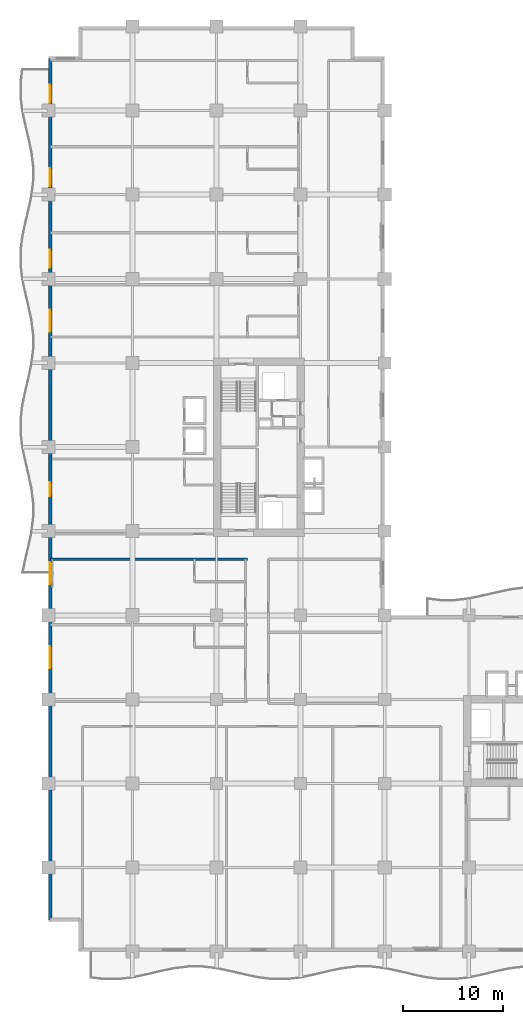
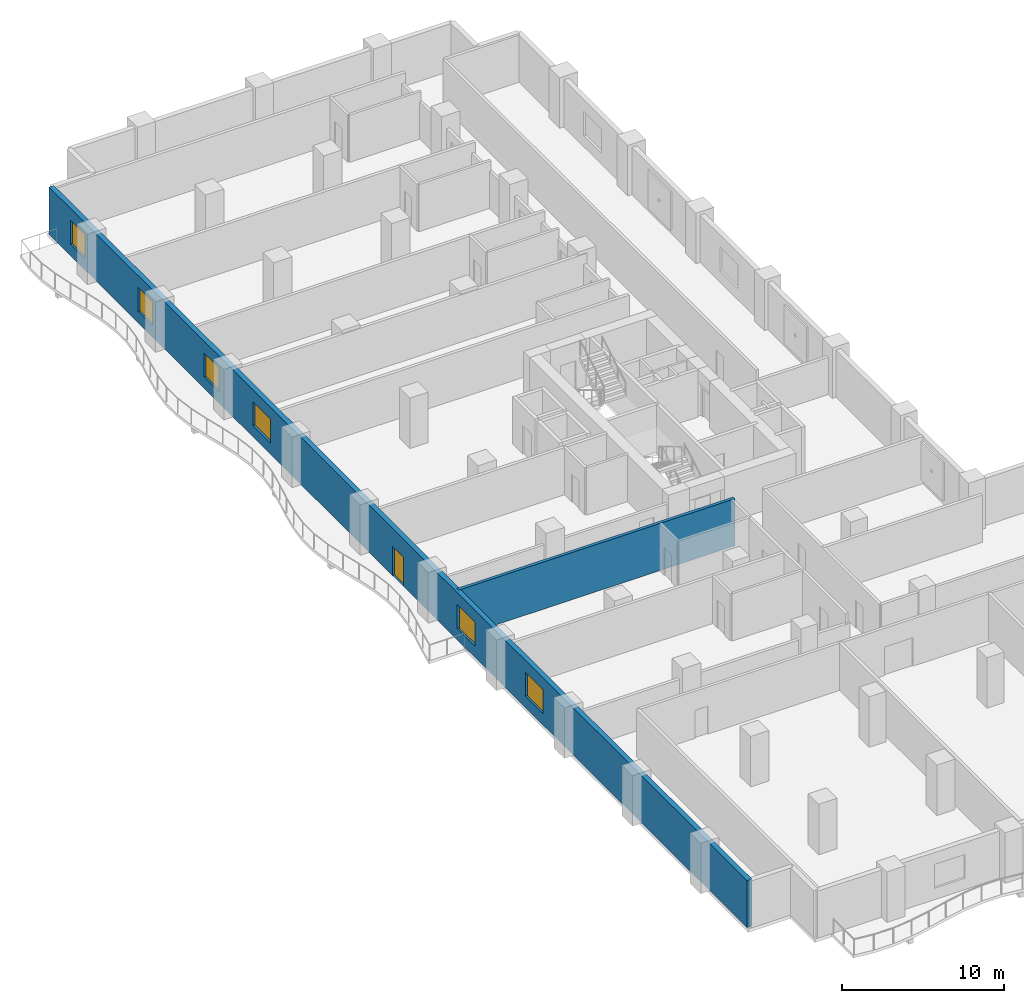
# One storey, part 6 of 18: 6 windows, 2 walls, 1 door, 7 openings.
"""IFC4 building model written with IfcOpenShell, lengths in metres."""

from ifc_helpers import new_model, si_unit, direction, frame, frame_2d, origin, place, context, subcontext, project, spatial, rectangle, extrude, material, layer, layer_set, type_object, element, fill, save


model = new_model("IFC4")

# Units and contexts
model_context = context("Model", 3, precision=1e-05, world=origin(), true_north=direction((0.0, 1.0)))
body_context = subcontext(model_context, "Body", "Model", "MODEL_VIEW")
ifc_project = project(units=[si_unit("LENGTHUNIT", "METRE"), si_unit("AREAUNIT", "SQUARE_METRE"), si_unit("VOLUMEUNIT", "CUBIC_METRE"), si_unit("PLANEANGLEUNIT", "RADIAN"), si_unit("MASSUNIT", "GRAM", prefix="KILO")], contexts=[model_context])

# Site, building, storey
site_placement = place(None, origin())
site = spatial("IfcSite", under=ifc_project, at=site_placement, CompositionType="ELEMENT")
building_placement = place(site_placement, origin())
building = spatial("IfcBuilding", under=site, at=building_placement, Name="Koriwani Terraces Tower", CompositionType="ELEMENT")
storey_placement = place(building_placement, frame((0.0, 0.0, 145.60009765625)))
storey = spatial("IfcBuildingStorey", under=building, at=storey_placement, Name="L35", CompositionType="ELEMENT", Elevation=145.60009765625)

# Wall
ifc_material_1 = material(Name="Autoclaved Cellular Concrete Blockwork", Category="masonry")
ifc_layer_1 = layer(ifc_material_1, 0.219970703125, Name="Autoclaved Cellular Concrete Blockwork")
ifc_layer_set_1 = layer_set([ifc_layer_1], Name="Autoclaved Cellular Concrete Blockwork")
wall_type_1 = type_object("IfcWallType", Name="WALL_DEMISING_220", PredefinedType="PARTITIONING", material=ifc_layer_set_1)
wall_1_placement = place(storey_placement, frame((0.199951171875, 39.199951171875, 0.0), z_axis=(0.0, 0.0, 1.0), x_axis=(1.0, 0.0, 0.0)))
element("IfcWall", 1, at=wall_1_placement, inside=storey, type_object=wall_type_1, Name="L35 Interior Wall WDEME-L35-NW", PredefinedType="PARTITIONING", context=body_context, shape_type="SweptSolid", body=[
    extrude(rectangle(XDim=19.679931640625, YDim=0.219970703125, at=frame_2d((9.83984375, 0.0))), origin(), (0.0, 0.0, 1.0), 3.5498046875),
])

# Wall, openings, door, windows
ifc_material_2 = material(Name="Concrete C50/60", Category="concrete")
ifc_layer_2 = layer(ifc_material_2, 0.35009765625, Name="Concrete C50/60")
ifc_layer_set_2 = layer_set([ifc_layer_2], Name="Concrete C50/60")
wall_type_2 = type_object("IfcWallType", Name="WALL_EXT_BRUTALIST_350", PredefinedType="STANDARD", material=ifc_layer_set_2)
wall_2_placement = place(storey_placement, frame((0.175048828125, 3.175048828125, 0.0), z_axis=(0.0, 0.0, 1.0), x_axis=(0.0, 1.0, 0.0)))
wall_2 = element("IfcWall", 2, at=wall_2_placement, inside=storey, type_object=wall_type_2, Name="L35 Fair-Faced Brutalist Exterior Wall (W)", PredefinedType="STANDARD", context=body_context, shape_type="SweptSolid", body=[
    extrude(rectangle(XDim=86.050048828125, YDim=0.35009765625, at=frame_2d((43.02490234375, 0.0))), origin(), (0.0, 0.0, 1.0), 3.5498046875),
])
opening_1_placement = place(wall_2_placement, frame((42.324951171875, 0.0, 0.0)))
opening_1 = element("IfcOpeningElement", 3, at=opening_1_placement, cuts=wall_2, Name="Opening D-09", PredefinedType="OPENING", context=body_context, shape_type="SweptSolid", body=[
    extrude(rectangle(XDim=1.39990234375, YDim=2.199951171875, at=frame_2d((0.699951171875, 1.10009765625))), frame((0.0, 0.18505859375, 0.0), z_axis=(0.0, -1.0, 0.0), x_axis=(1.0, 0.0, 0.0)), (0.0, 0.0, 1.0), 0.3701171875),
])
opening_2_placement = place(wall_2_placement, frame((25.125, 0.0, 0.85009765625)))
opening_2 = element("IfcOpeningElement", 4, at=opening_2_placement, cuts=wall_2, Name="Opening W-01", PredefinedType="OPENING", context=body_context, shape_type="SweptSolid", body=[
    extrude(rectangle(XDim=2.199951171875, YDim=1.800048828125, at=frame_2d((1.10009765625, 0.89990234375))), frame((0.0, 0.18505859375, 0.0), z_axis=(0.0, -1.0, 0.0), x_axis=(1.0, 0.0, 0.0)), (0.0, 0.0, 1.0), 0.3701171875),
])
opening_3_placement = place(wall_2_placement, frame((33.52490234375, 0.0, 0.85009765625)))
opening_3 = element("IfcOpeningElement", 5, at=opening_3_placement, cuts=wall_2, Name="Opening W-01", PredefinedType="OPENING", context=body_context, shape_type="SweptSolid", body=[
    extrude(rectangle(XDim=2.199951171875, YDim=1.800048828125, at=frame_2d((1.10009765625, 0.89990234375))), frame((0.0, 0.18505859375, 0.0), z_axis=(0.0, -1.0, 0.0), x_axis=(1.0, 0.0, 0.0)), (0.0, 0.0, 1.0), 0.3701171875),
])
opening_4_placement = place(wall_2_placement, frame((58.72509765625, 0.0, 0.85009765625)))
opening_4 = element("IfcOpeningElement", 6, at=opening_4_placement, cuts=wall_2, Name="Opening W-01", PredefinedType="OPENING", context=body_context, shape_type="SweptSolid", body=[
    extrude(rectangle(XDim=2.199951171875, YDim=1.800048828125, at=frame_2d((1.10009765625, 0.89990234375))), frame((0.0, 0.18505859375, 0.0), z_axis=(0.0, -1.0, 0.0), x_axis=(1.0, 0.0, 0.0)), (0.0, 0.0, 1.0), 0.3701171875),
])
opening_5_placement = place(wall_2_placement, frame((65.125, 0.0, 0.85009765625)))
opening_5 = element("IfcOpeningElement", 7, at=opening_5_placement, cuts=wall_2, Name="Opening W-04", PredefinedType="OPENING", context=body_context, shape_type="SweptSolid", body=[
    extrude(rectangle(XDim=1.800048828125, YDim=1.800048828125, at=frame_2d((0.89990234375, 0.89990234375))), frame((0.0, 0.18505859375, 0.0), z_axis=(0.0, -1.0, 0.0), x_axis=(1.0, 0.0, 0.0)), (0.0, 0.0, 1.0), 0.3701171875),
])
opening_6_placement = place(wall_2_placement, frame((73.27490234375, 0.0, 0.85009765625)))
opening_6 = element("IfcOpeningElement", 8, at=opening_6_placement, cuts=wall_2, Name="Opening W-04", PredefinedType="OPENING", context=body_context, shape_type="SweptSolid", body=[
    extrude(rectangle(XDim=1.800048828125, YDim=1.800048828125, at=frame_2d((0.89990234375, 0.89990234375))), frame((0.0, 0.18505859375, 0.0), z_axis=(0.0, -1.0, 0.0), x_axis=(1.0, 0.0, 0.0)), (0.0, 0.0, 1.0), 0.3701171875),
])
opening_7_placement = place(wall_2_placement, frame((81.625, 0.0, 0.85009765625)))
opening_7 = element("IfcOpeningElement", 9, at=opening_7_placement, cuts=wall_2, Name="Opening W-04", PredefinedType="OPENING", context=body_context, shape_type="SweptSolid", body=[
    extrude(rectangle(XDim=1.800048828125, YDim=1.800048828125, at=frame_2d((0.89990234375, 0.89990234375))), frame((0.0, 0.18505859375, 0.0), z_axis=(0.0, -1.0, 0.0), x_axis=(1.0, 0.0, 0.0)), (0.0, 0.0, 1.0), 0.3701171875),
])
ifc_material_3 = material(Name="Anodised Bronze Aluminium", Category="aluminium")
door_type = type_object("IfcDoorType", Name="DOOR_BALCONY_GLAZED_1400X2200", OperationType="NOTDEFINED", PredefinedType="DOOR", material=ifc_material_3)
door_placement = place(opening_1_placement, origin())
door = element("IfcDoor", 10, at=door_placement, inside=storey, type_object=door_type, Name="L35 West Balcony Glazed Door", OperationType="SINGLE_SWING_LEFT", OverallHeight=2.199951171875, OverallWidth=1.39990234375, PredefinedType="DOOR", context=body_context, shape_type="SweptSolid", body=[
    extrude(rectangle(XDim=1.39990234375, YDim=2.199951171875, at=frame_2d((0.699951171875, 1.10009765625))), frame((0.0, 0.02490234375, 0.0), z_axis=(0.0, -1.0, 0.0), x_axis=(1.0, 0.0, 0.0)), (0.0, 0.0, 1.0), 0.050048828125),
])
fill(opening_1, door)
ifc_material_4 = material(Name="Tempered Laminated Low-E Glass", Category="glass")
window_type_1 = type_object("IfcWindowType", Name="WIN_HOTEL_STD_2200X1800", PartitioningType="DOUBLE_PANEL_VERTICAL", PredefinedType="WINDOW", material=ifc_material_4)
window_1_placement = place(opening_2_placement, origin())
window_1 = element("IfcWindow", 11, at=window_1_placement, inside=storey, type_object=window_type_1, Name="L35 Exterior Window (W-9)", OverallHeight=1.800048828125, OverallWidth=2.199951171875, PartitioningType="SINGLE_PANEL", PredefinedType="WINDOW", context=body_context, shape_type="SweptSolid", body=[
    extrude(rectangle(XDim=2.199951171875, YDim=1.800048828125, at=frame_2d((1.10009765625, 0.89990234375))), frame((0.0, 0.030029296875, 0.0), z_axis=(0.0, -1.0, 0.0), x_axis=(1.0, 0.0, 0.0)), (0.0, 0.0, 1.0), 0.06005859375),
])
fill(opening_2, window_1)
window_2_placement = place(opening_3_placement, origin())
window_2 = element("IfcWindow", 12, at=window_2_placement, inside=storey, type_object=window_type_1, Name="L35 Exterior Window (W-12)", OverallHeight=1.800048828125, OverallWidth=2.199951171875, PartitioningType="SINGLE_PANEL", PredefinedType="WINDOW", context=body_context, shape_type="SweptSolid", body=[
    extrude(rectangle(XDim=2.199951171875, YDim=1.800048828125, at=frame_2d((1.10009765625, 0.89990234375))), frame((0.0, 0.030029296875, 0.0), z_axis=(0.0, -1.0, 0.0), x_axis=(1.0, 0.0, 0.0)), (0.0, 0.0, 1.0), 0.06005859375),
])
fill(opening_3, window_2)
window_3_placement = place(opening_4_placement, origin())
window_3 = element("IfcWindow", 13, at=window_3_placement, inside=storey, type_object=window_type_1, Name="L35 Exterior Window (W-21)", OverallHeight=1.800048828125, OverallWidth=2.199951171875, PartitioningType="SINGLE_PANEL", PredefinedType="WINDOW", context=body_context, shape_type="SweptSolid", body=[
    extrude(rectangle(XDim=2.199951171875, YDim=1.800048828125, at=frame_2d((1.10009765625, 0.89990234375))), frame((0.0, 0.030029296875, 0.0), z_axis=(0.0, -1.0, 0.0), x_axis=(1.0, 0.0, 0.0)), (0.0, 0.0, 1.0), 0.06005859375),
])
fill(opening_4, window_3)
window_type_2 = type_object("IfcWindowType", Name="WIN_RES_BED_1800X1800", PartitioningType="DOUBLE_PANEL_VERTICAL", PredefinedType="WINDOW", material=ifc_material_4)
window_4_placement = place(opening_5_placement, origin())
window_4 = element("IfcWindow", 14, at=window_4_placement, inside=storey, type_object=window_type_2, Name="L35 Exterior Window (W-R41)", OverallHeight=1.800048828125, OverallWidth=1.800048828125, PartitioningType="SINGLE_PANEL", PredefinedType="WINDOW", context=body_context, shape_type="SweptSolid", body=[
    extrude(rectangle(XDim=1.800048828125, YDim=1.800048828125, at=frame_2d((0.89990234375, 0.89990234375))), frame((0.0, 0.030029296875, 0.0), z_axis=(0.0, -1.0, 0.0), x_axis=(1.0, 0.0, 0.0)), (0.0, 0.0, 1.0), 0.06005859375),
])
fill(opening_5, window_4)
window_5_placement = place(opening_6_placement, origin())
window_5 = element("IfcWindow", 15, at=window_5_placement, inside=storey, type_object=window_type_2, Name="L35 Exterior Window (W-R43)", OverallHeight=1.800048828125, OverallWidth=1.800048828125, PartitioningType="SINGLE_PANEL", PredefinedType="WINDOW", context=body_context, shape_type="SweptSolid", body=[
    extrude(rectangle(XDim=1.800048828125, YDim=1.800048828125, at=frame_2d((0.89990234375, 0.89990234375))), frame((0.0, 0.030029296875, 0.0), z_axis=(0.0, -1.0, 0.0), x_axis=(1.0, 0.0, 0.0)), (0.0, 0.0, 1.0), 0.06005859375),
])
fill(opening_6, window_5)
window_6_placement = place(opening_7_placement, origin())
window_6 = element("IfcWindow", 16, at=window_6_placement, inside=storey, type_object=window_type_2, Name="L35 Exterior Window (W-R45)", OverallHeight=1.800048828125, OverallWidth=1.800048828125, PartitioningType="SINGLE_PANEL", PredefinedType="WINDOW", context=body_context, shape_type="SweptSolid", body=[
    extrude(rectangle(XDim=1.800048828125, YDim=1.800048828125, at=frame_2d((0.89990234375, 0.89990234375))), frame((0.0, 0.030029296875, 0.0), z_axis=(0.0, -1.0, 0.0), x_axis=(1.0, 0.0, 0.0)), (0.0, 0.0, 1.0), 0.06005859375),
])
fill(opening_7, window_6)

save(model, "model.ifc")
